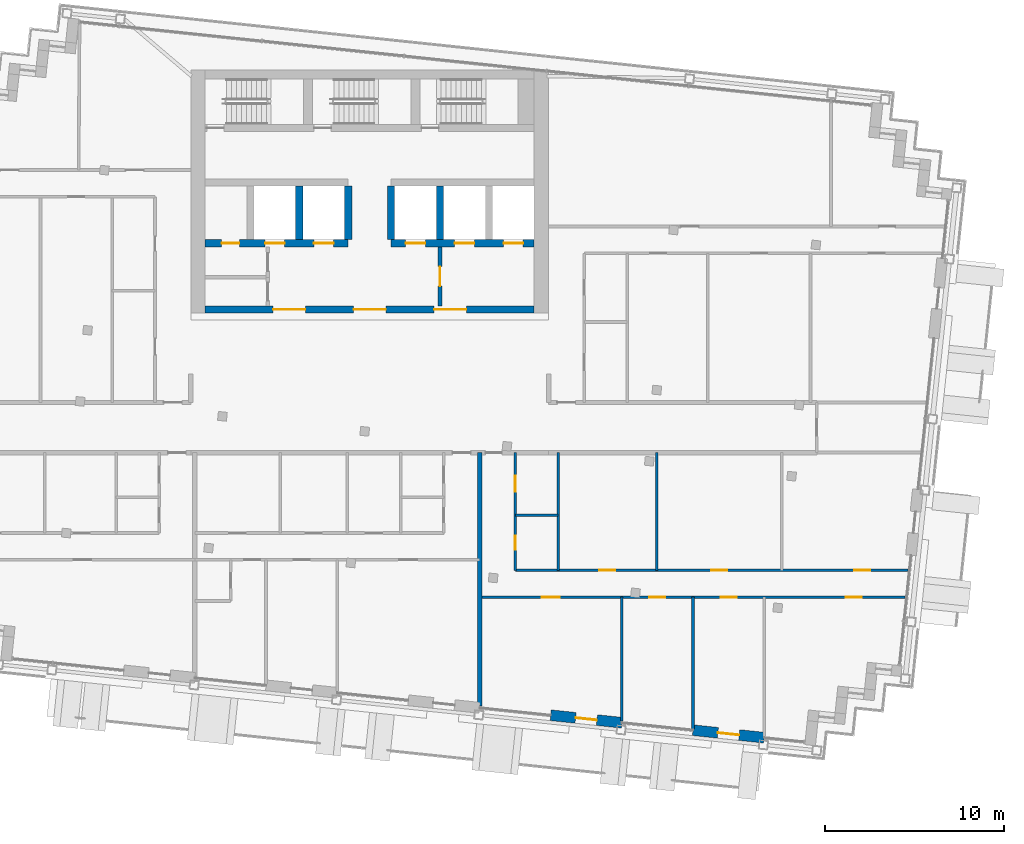
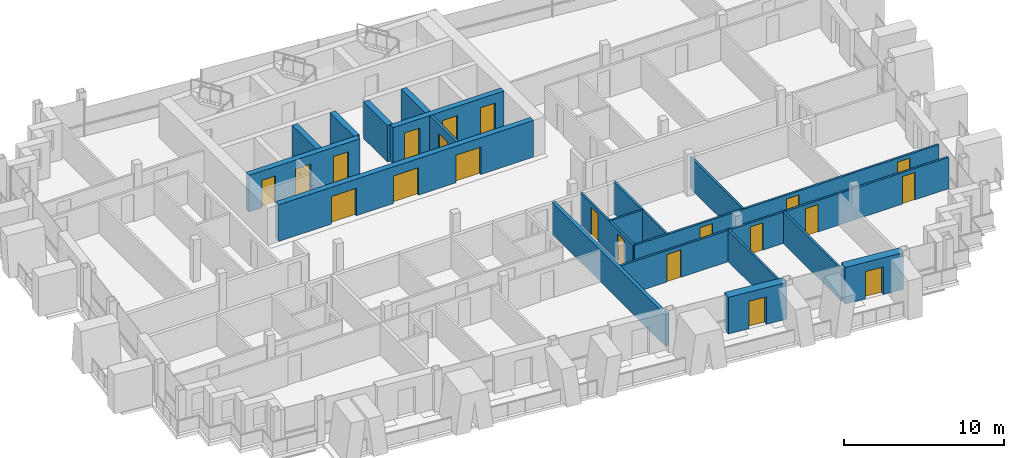
# One storey, part 10 of 16: 21 doors, 19 walls, 21 openings.
"""IFC4 building model written with IfcOpenShell, lengths in metres."""

from ifc_helpers import new_model, si_unit, direction, frame, frame_2d, origin, place, context, subcontext, project, spatial, rectangle, extrude, material, layer, layer_set, type_object, element, fill, save


model = new_model("IFC4")

# Units and contexts
model_context = context("Model", 3, precision=1e-05, world=origin(), true_north=direction((0.0, 1.0)))
body_context = subcontext(model_context, "Body", "Model", "MODEL_VIEW")
ifc_project = project(units=[si_unit("LENGTHUNIT", "METRE"), si_unit("AREAUNIT", "SQUARE_METRE"), si_unit("VOLUMEUNIT", "CUBIC_METRE"), si_unit("PLANEANGLEUNIT", "RADIAN"), si_unit("MASSUNIT", "GRAM", prefix="KILO")], contexts=[model_context])

# Site, building, storey
site_placement = place(None, origin())
site = spatial("IfcSite", under=ifc_project, at=site_placement, CompositionType="ELEMENT")
building_placement = place(site_placement, origin())
building = spatial("IfcBuilding", under=site, at=building_placement, Name="Vidyagriha Tower", CompositionType="ELEMENT")
storey_placement = place(building_placement, frame((0.0, 0.0, 278.699951171875)))
storey = spatial("IfcBuildingStorey", under=building, at=storey_placement, Name="L73", CompositionType="ELEMENT", Elevation=278.699951171875)

# Wall, opening, door
ifc_material_1 = material(Name="Precast concrete C40/50 with brick facing", Category="concrete")
ifc_layer_1 = layer(ifc_material_1, 0.60009765625)
ifc_layer_set_1 = layer_set([ifc_layer_1], Name="Precast concrete C40/50 with brick facing")
wall_type_1 = type_object("IfcWallType", Name="Brick-faced precast wall 600", PredefinedType="STANDARD", material=ifc_layer_set_1)
wall_1_placement = place(storey_placement, frame((10.1201171875, -16.085205078125, 0.0), z_axis=(0.0, 0.0, 1.0), x_axis=(0.994519156568, -0.104554517933, 0.0)))
wall_1 = element("IfcWall", 1, at=wall_1_placement, inside=storey, type_object=wall_type_1, Name="Brick door bay wall L73 R21.9", PredefinedType="STANDARD", context=body_context, shape_type="SweptSolid", body=[
    extrude(rectangle(XDim=4.0, YDim=0.60009765625, at=frame_2d((2.0, 0.0))), origin(), (0.0, 0.0, 1.0), 2.800048828125),
])
opening_1_placement = place(wall_1_placement, frame((1.39990234375, 0.0, 0.0)))
opening_1 = element("IfcOpeningElement", 2, at=opening_1_placement, cuts=wall_1, Name="Opening D73-58", PredefinedType="OPENING", context=body_context, shape_type="SweptSolid", body=[
    extrude(rectangle(XDim=1.199951171875, YDim=2.10009765625, at=frame_2d((0.60009765625, 1.050048828125))), frame((0.0, 0.31005859375, 0.0), z_axis=(0.0, -1.0, 0.0), x_axis=(1.0, 0.0, 0.0)), (0.0, 0.0, 1.0), 0.6201171875),
])
ifc_material_2 = material(Name="Aluminium framed glazed sliding door", Category="aluminium")
door_type_1 = type_object("IfcDoorType", Name="Balcony sliding door 1200x2100", OperationType="NOTDEFINED", PredefinedType="DOOR", material=ifc_material_2)
door_1_placement = place(opening_1_placement, origin())
door_1 = element("IfcDoor", 3, at=door_1_placement, inside=storey, type_object=door_type_1, Name="Door D73-58", OperationType="SLIDING_TO_LEFT", OverallHeight=2.10009765625, OverallWidth=1.199951171875, PredefinedType="DOOR", context=body_context, shape_type="SweptSolid", body=[
    extrude(rectangle(XDim=1.199951171875, YDim=2.10009765625, at=frame_2d((0.60009765625, 1.050048828125))), frame((0.0, 0.02490234375, 0.0), z_axis=(0.0, -1.0, 0.0), x_axis=(1.0, 0.0, 0.0)), (0.0, 0.0, 1.0), 0.050048828125),
])
fill(opening_1, door_1)

wall_2_placement = place(storey_placement, frame((18.076171875, -16.92138671875, 0.0), z_axis=(0.0, 0.0, 1.0), x_axis=(0.994519156568, -0.104554517933, 0.0)))
wall_2 = element("IfcWall", 4, at=wall_2_placement, inside=storey, type_object=wall_type_1, Name="Brick door bay wall L73 R21.11", PredefinedType="STANDARD", context=body_context, shape_type="SweptSolid", body=[
    extrude(rectangle(XDim=4.0, YDim=0.60009765625, at=frame_2d((2.0, 0.0))), origin(), (0.0, 0.0, 1.0), 2.800048828125),
])
opening_2_placement = place(wall_2_placement, frame((1.39990234375, 0.0, 0.0)))
opening_2 = element("IfcOpeningElement", 5, at=opening_2_placement, cuts=wall_2, Name="Opening D73-59", PredefinedType="OPENING", context=body_context, shape_type="SweptSolid", body=[
    extrude(rectangle(XDim=1.199951171875, YDim=2.10009765625, at=frame_2d((0.60009765625, 1.050048828125))), frame((0.0, 0.31005859375, 0.0), z_axis=(0.0, -1.0, 0.0), x_axis=(1.0, 0.0, 0.0)), (0.0, 0.0, 1.0), 0.6201171875),
])
door_2_placement = place(opening_2_placement, origin())
door_2 = element("IfcDoor", 6, at=door_2_placement, inside=storey, type_object=door_type_1, Name="Door D73-59", OperationType="SLIDING_TO_LEFT", OverallHeight=2.10009765625, OverallWidth=1.199951171875, PredefinedType="DOOR", context=body_context, shape_type="SweptSolid", body=[
    extrude(rectangle(XDim=1.199951171875, YDim=2.10009765625, at=frame_2d((0.60009765625, 1.050048828125))), frame((0.0, 0.02490234375, 0.0), z_axis=(0.0, -1.0, 0.0), x_axis=(1.0, 0.0, 0.0)), (0.0, 0.0, 1.0), 0.050048828125),
])
fill(opening_2, door_2)

# Wall, openings, doors
ifc_material_3 = material(Name="Concrete C60/75", Category="concrete")
ifc_layer_2 = layer(ifc_material_3, 0.39990234375)
ifc_layer_set_2 = layer_set([ifc_layer_2], Name="Concrete C60/75")
wall_type_2 = type_object("IfcWallType", Name="Core shear wall 400 mm", PredefinedType="SHEAR", material=ifc_layer_set_2)
wall_3_placement = place(storey_placement, frame((-9.199951171875, 6.60009765625, 0.0)))
wall_3 = element("IfcWall", 7, at=wall_3_placement, inside=storey, type_object=wall_type_2, Name="Core south wall", PredefinedType="SHEAR", context=body_context, shape_type="SweptSolid", body=[
    extrude(rectangle(XDim=18.39990234375, YDim=0.39990234375, at=frame_2d((9.199951171875, 0.0))), origin(), (0.0, 0.0, 1.0), 2.800048828125),
])
opening_3_placement = place(wall_3_placement, frame((8.300048828125, 0.0, 0.0)))
opening_3 = element("IfcOpeningElement", 8, at=opening_3_placement, cuts=wall_3, Name="Opening D73-01", PredefinedType="OPENING", context=body_context, shape_type="SweptSolid", body=[
    extrude(rectangle(XDim=1.800048828125, YDim=2.10009765625, at=frame_2d((0.89990234375, 1.050048828125))), frame((0.0, 0.2099609375, 0.0), z_axis=(0.0, -1.0, 0.0), x_axis=(1.0, 0.0, 0.0)), (0.0, 0.0, 1.0), 0.419921875),
])
opening_4_placement = place(wall_3_placement, frame((3.800048828125, 0.0, 0.0)))
opening_4 = element("IfcOpeningElement", 9, at=opening_4_placement, cuts=wall_3, Name="Opening D73-02", PredefinedType="OPENING", context=body_context, shape_type="SweptSolid", body=[
    extrude(rectangle(XDim=1.800048828125, YDim=2.10009765625, at=frame_2d((0.89990234375, 1.050048828125))), frame((0.0, 0.2099609375, 0.0), z_axis=(0.0, -1.0, 0.0), x_axis=(1.0, 0.0, 0.0)), (0.0, 0.0, 1.0), 0.419921875),
])
opening_5_placement = place(wall_3_placement, frame((12.800048828125, 0.0, 0.0)))
opening_5 = element("IfcOpeningElement", 10, at=opening_5_placement, cuts=wall_3, Name="Opening D73-03", PredefinedType="OPENING", context=body_context, shape_type="SweptSolid", body=[
    extrude(rectangle(XDim=1.800048828125, YDim=2.10009765625, at=frame_2d((0.89990234375, 1.050048828125))), frame((0.0, 0.2099609375, 0.0), z_axis=(0.0, -1.0, 0.0), x_axis=(1.0, 0.0, 0.0)), (0.0, 0.0, 1.0), 0.419921875),
])
ifc_material_4 = material(Name="Hollow metal door leaf")
door_type_2 = type_object("IfcDoorType", Name="Core lobby double door 1800 x 2100 mm EI 60", OperationType="NOTDEFINED", PredefinedType="DOOR", material=ifc_material_4)
door_3_placement = place(opening_3_placement, frame((1.800048828125, 0.0, 0.0), z_axis=(0.0, 0.0, 1.0), x_axis=(-1.0, 0.0, 0.0)))
door_3 = element("IfcDoor", 11, at=door_3_placement, inside=storey, type_object=door_type_2, Name="Core entrance door L73", OperationType="DOUBLE_DOOR_SINGLE_SWING", OverallHeight=2.10009765625, OverallWidth=1.800048828125, PredefinedType="DOOR", context=body_context, shape_type="SweptSolid", body=[
    extrude(rectangle(XDim=1.800048828125, YDim=2.10009765625, at=frame_2d((0.89990234375, 1.050048828125))), frame((0.0, 0.02490234375, 0.0), z_axis=(0.0, -1.0, 0.0), x_axis=(1.0, 0.0, 0.0)), (0.0, 0.0, 1.0), 0.050048828125),
])
fill(opening_3, door_3)
door_4_placement = place(opening_4_placement, frame((1.800048828125, 0.0, 0.0), z_axis=(0.0, 0.0, 1.0), x_axis=(-1.0, 0.0, 0.0)))
door_4 = element("IfcDoor", 12, at=door_4_placement, inside=storey, type_object=door_type_2, Name="Core entrance door west L73", OperationType="DOUBLE_DOOR_SINGLE_SWING", OverallHeight=2.10009765625, OverallWidth=1.800048828125, PredefinedType="DOOR", context=body_context, shape_type="SweptSolid", body=[
    extrude(rectangle(XDim=1.800048828125, YDim=2.10009765625, at=frame_2d((0.89990234375, 1.050048828125))), frame((0.0, 0.02490234375, 0.0), z_axis=(0.0, -1.0, 0.0), x_axis=(1.0, 0.0, 0.0)), (0.0, 0.0, 1.0), 0.050048828125),
])
fill(opening_4, door_4)
door_5_placement = place(opening_5_placement, frame((1.800048828125, 0.0, 0.0), z_axis=(0.0, 0.0, 1.0), x_axis=(-1.0, 0.0, 0.0)))
door_5 = element("IfcDoor", 13, at=door_5_placement, inside=storey, type_object=door_type_2, Name="Core entrance door east L73", OperationType="DOUBLE_DOOR_SINGLE_SWING", OverallHeight=2.10009765625, OverallWidth=1.800048828125, PredefinedType="DOOR", context=body_context, shape_type="SweptSolid", body=[
    extrude(rectangle(XDim=1.800048828125, YDim=2.10009765625, at=frame_2d((0.89990234375, 1.050048828125))), frame((0.0, 0.02490234375, 0.0), z_axis=(0.0, -1.0, 0.0), x_axis=(1.0, 0.0, 0.0)), (0.0, 0.0, 1.0), 0.050048828125),
])
fill(opening_5, door_5)

wall_4_placement = place(storey_placement, frame((-9.199951171875, 10.300048828125, 0.0)))
wall_4 = element("IfcWall", 14, at=wall_4_placement, inside=storey, type_object=wall_type_2, Name="Core row N front wall", PredefinedType="SHEAR", context=body_context, shape_type="SweptSolid", body=[
    extrude(rectangle(XDim=8.0, YDim=0.39990234375, at=frame_2d((4.0, 0.0))), origin(), (0.0, 0.0, 1.0), 2.800048828125),
])
opening_6_placement = place(wall_4_placement, frame((3.35009765625, 0.0, 0.0)))
opening_6 = element("IfcOpeningElement", 15, at=opening_6_placement, cuts=wall_4, Name="Opening LD73-01", PredefinedType="OPENING", context=body_context, shape_type="SweptSolid", body=[
    extrude(rectangle(XDim=1.10009765625, YDim=2.10009765625, at=frame_2d((0.550048828125, 1.050048828125))), frame((0.0, 0.2099609375, 0.0), z_axis=(0.0, -1.0, 0.0), x_axis=(1.0, 0.0, 0.0)), (0.0, 0.0, 1.0), 0.419921875),
])
opening_7_placement = place(wall_4_placement, frame((6.083251953125, 0.0, 0.0)))
opening_7 = element("IfcOpeningElement", 16, at=opening_7_placement, cuts=wall_4, Name="Opening LD73-02", PredefinedType="OPENING", context=body_context, shape_type="SweptSolid", body=[
    extrude(rectangle(XDim=1.10009765625, YDim=2.10009765625, at=frame_2d((0.550048828125, 1.050048828125))), frame((0.0, 0.2099609375, 0.0), z_axis=(0.0, -1.0, 0.0), x_axis=(1.0, 0.0, 0.0)), (0.0, 0.0, 1.0), 0.419921875),
])
opening_8_placement = place(wall_4_placement, frame((0.916748046875, 0.0, 0.0)))
opening_8 = element("IfcOpeningElement", 17, at=opening_8_placement, cuts=wall_4, Name="Opening D73-04", PredefinedType="OPENING", context=body_context, shape_type="SweptSolid", body=[
    extrude(rectangle(XDim=1.0, YDim=2.10009765625, at=frame_2d((0.5, 1.050048828125))), frame((0.0, 0.2099609375, 0.0), z_axis=(0.0, -1.0, 0.0), x_axis=(1.0, 0.0, 0.0)), (0.0, 0.0, 1.0), 0.419921875),
])
ifc_material_5 = material(Name="Hollow metal door leaf")
door_type_3 = type_object("IfcDoorType", Name="Core room door 1000 x 2100 mm EI 60", OperationType="NOTDEFINED", PredefinedType="DOOR", material=ifc_material_5)
door_6_placement = place(opening_8_placement, frame((1.0, 0.0, 0.0), z_axis=(0.0, 0.0, 1.0), x_axis=(-1.0, 0.0, 0.0)))
door_6 = element("IfcDoor", 18, at=door_6_placement, inside=storey, type_object=door_type_3, Name="Door Electrical Room 73.14", OperationType="SINGLE_SWING_RIGHT", OverallHeight=2.10009765625, OverallWidth=1.0, PredefinedType="DOOR", context=body_context, shape_type="SweptSolid", body=[
    extrude(rectangle(XDim=1.0, YDim=2.10009765625, at=frame_2d((0.5, 1.050048828125))), frame((0.0, 0.02490234375, 0.0), z_axis=(0.0, -1.0, 0.0), x_axis=(1.0, 0.0, 0.0)), (0.0, 0.0, 1.0), 0.050048828125),
])
fill(opening_8, door_6)
ifc_material_6 = material(Name="Stainless steel sliding door panel", Category="steel")
door_type_4 = type_object("IfcDoorType", Name="Lift landing door 1100 x 2100 mm EI 90", OperationType="NOTDEFINED", PredefinedType="DOOR", material=ifc_material_6)
door_7_placement = place(opening_6_placement, origin())
door_7 = element("IfcDoor", 19, at=door_7_placement, inside=storey, type_object=door_type_4, Name="Landing door HR1 L73", OperationType="SLIDING_TO_LEFT", OverallHeight=2.10009765625, OverallWidth=1.10009765625, PredefinedType="DOOR", context=body_context, shape_type="SweptSolid", body=[
    extrude(rectangle(XDim=1.10009765625, YDim=2.10009765625, at=frame_2d((0.550048828125, 1.050048828125))), frame((0.0, 0.02490234375, 0.0), z_axis=(0.0, -1.0, 0.0), x_axis=(1.0, 0.0, 0.0)), (0.0, 0.0, 1.0), 0.050048828125),
])
fill(opening_6, door_7)
door_8_placement = place(opening_7_placement, origin())
door_8 = element("IfcDoor", 20, at=door_8_placement, inside=storey, type_object=door_type_4, Name="Landing door HR2 L73", OperationType="SLIDING_TO_LEFT", OverallHeight=2.10009765625, OverallWidth=1.10009765625, PredefinedType="DOOR", context=body_context, shape_type="SweptSolid", body=[
    extrude(rectangle(XDim=1.10009765625, YDim=2.10009765625, at=frame_2d((0.550048828125, 1.050048828125))), frame((0.0, 0.02490234375, 0.0), z_axis=(0.0, -1.0, 0.0), x_axis=(1.0, 0.0, 0.0)), (0.0, 0.0, 1.0), 0.050048828125),
])
fill(opening_7, door_8)

wall_5_placement = place(storey_placement, frame((1.199951171875, 10.300048828125, 0.0)))
wall_5 = element("IfcWall", 21, at=wall_5_placement, inside=storey, type_object=wall_type_2, Name="Core row N front wall", PredefinedType="SHEAR", context=body_context, shape_type="SweptSolid", body=[
    extrude(rectangle(XDim=8.0, YDim=0.39990234375, at=frame_2d((4.0, 0.0))), origin(), (0.0, 0.0, 1.0), 2.800048828125),
])
opening_9_placement = place(wall_5_placement, frame((0.816650390625, 0.0, 0.0)))
opening_9 = element("IfcOpeningElement", 22, at=opening_9_placement, cuts=wall_5, Name="Opening LD73-03", PredefinedType="OPENING", context=body_context, shape_type="SweptSolid", body=[
    extrude(rectangle(XDim=1.10009765625, YDim=2.10009765625, at=frame_2d((0.550048828125, 1.050048828125))), frame((0.0, 0.2099609375, 0.0), z_axis=(0.0, -1.0, 0.0), x_axis=(1.0, 0.0, 0.0)), (0.0, 0.0, 1.0), 0.419921875),
])
opening_10_placement = place(wall_5_placement, frame((3.550048828125, 0.0, 0.0)))
opening_10 = element("IfcOpeningElement", 23, at=opening_10_placement, cuts=wall_5, Name="Opening LD73-04", PredefinedType="OPENING", context=body_context, shape_type="SweptSolid", body=[
    extrude(rectangle(XDim=1.10009765625, YDim=2.10009765625, at=frame_2d((0.550048828125, 1.050048828125))), frame((0.0, 0.2099609375, 0.0), z_axis=(0.0, -1.0, 0.0), x_axis=(1.0, 0.0, 0.0)), (0.0, 0.0, 1.0), 0.419921875),
])
opening_11_placement = place(wall_5_placement, frame((6.283203125, 0.0, 0.0)))
opening_11 = element("IfcOpeningElement", 24, at=opening_11_placement, cuts=wall_5, Name="Opening LD73-05", PredefinedType="OPENING", context=body_context, shape_type="SweptSolid", body=[
    extrude(rectangle(XDim=1.10009765625, YDim=2.10009765625, at=frame_2d((0.550048828125, 1.050048828125))), frame((0.0, 0.2099609375, 0.0), z_axis=(0.0, -1.0, 0.0), x_axis=(1.0, 0.0, 0.0)), (0.0, 0.0, 1.0), 0.419921875),
])
door_9_placement = place(opening_9_placement, origin())
door_9 = element("IfcDoor", 25, at=door_9_placement, inside=storey, type_object=door_type_4, Name="Landing door HR3 L73", OperationType="SLIDING_TO_LEFT", OverallHeight=2.10009765625, OverallWidth=1.10009765625, PredefinedType="DOOR", context=body_context, shape_type="SweptSolid", body=[
    extrude(rectangle(XDim=1.10009765625, YDim=2.10009765625, at=frame_2d((0.550048828125, 1.050048828125))), frame((0.0, 0.02490234375, 0.0), z_axis=(0.0, -1.0, 0.0), x_axis=(1.0, 0.0, 0.0)), (0.0, 0.0, 1.0), 0.050048828125),
])
fill(opening_9, door_9)
door_10_placement = place(opening_10_placement, origin())
door_10 = element("IfcDoor", 26, at=door_10_placement, inside=storey, type_object=door_type_4, Name="Landing door FF1 L73", OperationType="SLIDING_TO_LEFT", OverallHeight=2.10009765625, OverallWidth=1.10009765625, PredefinedType="DOOR", context=body_context, shape_type="SweptSolid", body=[
    extrude(rectangle(XDim=1.10009765625, YDim=2.10009765625, at=frame_2d((0.550048828125, 1.050048828125))), frame((0.0, 0.02490234375, 0.0), z_axis=(0.0, -1.0, 0.0), x_axis=(1.0, 0.0, 0.0)), (0.0, 0.0, 1.0), 0.050048828125),
])
fill(opening_10, door_10)
door_11_placement = place(opening_11_placement, origin())
door_11 = element("IfcDoor", 27, at=door_11_placement, inside=storey, type_object=door_type_4, Name="Landing door FF2 L73", OperationType="SLIDING_TO_LEFT", OverallHeight=2.10009765625, OverallWidth=1.10009765625, PredefinedType="DOOR", context=body_context, shape_type="SweptSolid", body=[
    extrude(rectangle(XDim=1.10009765625, YDim=2.10009765625, at=frame_2d((0.550048828125, 1.050048828125))), frame((0.0, 0.02490234375, 0.0), z_axis=(0.0, -1.0, 0.0), x_axis=(1.0, 0.0, 0.0)), (0.0, 0.0, 1.0), 0.050048828125),
])
fill(opening_11, door_11)

# Walls
for number, where, z_axis, x_axis, name in (
    (28, (-3.933349609375, 10.5, 0.0), (0.0, 0.0, 1.0), (0.0, 1.0, 0.0), "Core bay wall N2"),
    (29, (-1.199951171875, 10.5, 0.0), (0.0, 0.0, 1.0), (0.0, 1.0, 0.0), "Core bay wall N3"),
    (30, (1.199951171875, 10.5, 0.0), (0.0, 0.0, 1.0), (0.0, 1.0, 0.0), "Core bay wall N4"),
    (31, (3.933349609375, 10.5, 0.0), (0.0, 0.0, 1.0), (0.0, 1.0, 0.0), "Core bay wall N5"),
):
    element("IfcWall", number, at=place(storey_placement, frame(where, z_axis=z_axis, x_axis=x_axis)), inside=storey, type_object=wall_type_2, Name=name, PredefinedType="SHEAR", context=body_context, shape_type="SweptSolid", body=[
        extrude(rectangle(XDim=3.0, YDim=0.39990234375, at=frame_2d((1.5, 0.0))), origin(), (0.0, 0.0, 1.0), 2.800048828125),
    ])
ifc_material_7 = material(Name="Fired clay brick masonry", Category="masonry")
ifc_layer_3 = layer(ifc_material_7, 0.25)
ifc_layer_set_3 = layer_set([ifc_layer_3], Name="Fired clay brick masonry")
wall_type_3 = type_object("IfcWallType", Name="Fired clay brick demising wall 250", PredefinedType="PARTITIONING", material=ifc_layer_set_3)
wall_6_placement = place(storey_placement, frame((6.14208984375, -1.39990234375, 0.0), z_axis=(0.0, 0.0, 1.0), x_axis=(0.0, -1.0, 0.0)))
element("IfcWall", 32, at=wall_6_placement, inside=storey, type_object=wall_type_3, Name="Wall all-L73-w055", PredefinedType="PARTITIONING", context=body_context, shape_type="SweptSolid", body=[
    extrude(rectangle(XDim=14.1767578125, YDim=0.25, at=frame_2d((7.08837890625, 0.0))), origin(), (0.0, 0.0, 1.0), 2.400146484375),
])
ifc_material_8 = material(Name="Gypsum board partition")
ifc_layer_4 = layer(ifc_material_8, 0.14990234375)
ifc_layer_set_4 = layer_set([ifc_layer_4], Name="Gypsum board partition")
wall_type_4 = type_object("IfcWallType", Name="Gypsum board partition 150", PredefinedType="PARTITIONING", material=ifc_layer_set_4)
wall_7_placement = place(storey_placement, frame((10.5419921875, -4.89990234375, 0.0), z_axis=(0.0, 0.0, 1.0), x_axis=(-1.0, 0.0, 0.0)))
element("IfcWall", 33, at=wall_7_placement, inside=storey, type_object=wall_type_4, Name="Wall all-L73-w038", PredefinedType="PARTITIONING", context=body_context, shape_type="SweptSolid", body=[
    extrude(rectangle(XDim=2.39990234375, YDim=0.14990234375, at=frame_2d((1.199951171875, 0.0))), origin(), (0.0, 0.0, 1.0), 2.400146484375),
])
for number, where, z_axis, x_axis, name in (
    (34, (10.5419921875, -1.39990234375, 0.0), (0.0, 0.0, 1.0), (0.0, -1.0, 0.0), "Wall all-L73-w039"),
    (35, (16.0419921875, -1.39990234375, 0.0), (0.0, 0.0, 1.0), (0.0, -1.0, 0.0), "Wall all-L73-w040"),
):
    element("IfcWall", number, at=place(storey_placement, frame(where, z_axis=z_axis, x_axis=x_axis)), inside=storey, type_object=wall_type_4, Name=name, PredefinedType="PARTITIONING", context=body_context, shape_type="SweptSolid", body=[
        extrude(rectangle(XDim=6.581787109375, YDim=0.14990234375, at=frame_2d((3.291015625, 0.0))), origin(), (0.0, 0.0, 1.0), 2.400146484375),
    ])

# Wall, openings, doors
wall_8_placement = place(storey_placement, frame((8.14208984375, -7.981689453125, 0.0)))
wall_8 = element("IfcWall", 36, at=wall_8_placement, inside=storey, type_object=wall_type_4, Name="Wall all-L73-w042", PredefinedType="PARTITIONING", context=body_context, shape_type="SweptSolid", body=[
    extrude(rectangle(XDim=21.955322265625, YDim=0.14990234375, at=frame_2d((10.9775390625, 0.0))), origin(), (0.0, 0.0, 1.0), 2.400146484375),
])
opening_12_placement = place(wall_8_placement, frame((4.699951171875, 0.0, 0.0)))
opening_12 = element("IfcOpeningElement", 37, at=opening_12_placement, cuts=wall_8, Name="Opening D73-29", PredefinedType="OPENING", context=body_context, shape_type="SweptSolid", body=[
    extrude(rectangle(XDim=0.89990234375, YDim=2.10009765625, at=frame_2d((0.449951171875, 1.050048828125))), frame((0.0, 0.0849609375, 0.0), z_axis=(0.0, -1.0, 0.0), x_axis=(1.0, 0.0, 0.0)), (0.0, 0.0, 1.0), 0.169921875),
])
opening_13_placement = place(wall_8_placement, frame((10.949951171875, 0.0, 0.0)))
opening_13 = element("IfcOpeningElement", 38, at=opening_13_placement, cuts=wall_8, Name="Opening D73-30", PredefinedType="OPENING", context=body_context, shape_type="SweptSolid", body=[
    extrude(rectangle(XDim=0.89990234375, YDim=2.10009765625, at=frame_2d((0.449951171875, 1.050048828125))), frame((0.0, 0.0849609375, 0.0), z_axis=(0.0, -1.0, 0.0), x_axis=(1.0, 0.0, 0.0)), (0.0, 0.0, 1.0), 0.169921875),
])
opening_14_placement = place(wall_8_placement, frame((18.95751953125, 0.0, 0.0)))
opening_14 = element("IfcOpeningElement", 39, at=opening_14_placement, cuts=wall_8, Name="Opening D73-31", PredefinedType="OPENING", context=body_context, shape_type="SweptSolid", body=[
    extrude(rectangle(XDim=0.89990234375, YDim=2.10009765625, at=frame_2d((0.449951171875, 1.050048828125))), frame((0.0, 0.0849609375, 0.0), z_axis=(0.0, -1.0, 0.0), x_axis=(1.0, 0.0, 0.0)), (0.0, 0.0, 1.0), 0.169921875),
])
ifc_material_9 = material(Name="Timber door leaf", Category="wood")
door_type_5 = type_object("IfcDoorType", Name="Room door 900x2100", OperationType="NOTDEFINED", PredefinedType="DOOR", material=ifc_material_9)
door_12_placement = place(opening_12_placement, origin())
door_12 = element("IfcDoor", 40, at=door_12_placement, inside=storey, type_object=door_type_5, Name="Door D73-29", OperationType="SINGLE_SWING_LEFT", OverallHeight=2.10009765625, OverallWidth=0.89990234375, PredefinedType="DOOR", context=body_context, shape_type="SweptSolid", body=[
    extrude(rectangle(XDim=0.89990234375, YDim=2.10009765625, at=frame_2d((0.449951171875, 1.050048828125))), frame((0.0, 0.02490234375, 0.0), z_axis=(0.0, -1.0, 0.0), x_axis=(1.0, 0.0, 0.0)), (0.0, 0.0, 1.0), 0.050048828125),
])
fill(opening_12, door_12)
door_13_placement = place(opening_13_placement, origin())
door_13 = element("IfcDoor", 41, at=door_13_placement, inside=storey, type_object=door_type_5, Name="Door D73-30", OperationType="SINGLE_SWING_RIGHT", OverallHeight=2.10009765625, OverallWidth=0.89990234375, PredefinedType="DOOR", context=body_context, shape_type="SweptSolid", body=[
    extrude(rectangle(XDim=0.89990234375, YDim=2.10009765625, at=frame_2d((0.449951171875, 1.050048828125))), frame((0.0, 0.02490234375, 0.0), z_axis=(0.0, -1.0, 0.0), x_axis=(1.0, 0.0, 0.0)), (0.0, 0.0, 1.0), 0.050048828125),
])
fill(opening_13, door_13)
door_14_placement = place(opening_14_placement, origin())
door_14 = element("IfcDoor", 42, at=door_14_placement, inside=storey, type_object=door_type_5, Name="Door D73-31", OperationType="SINGLE_SWING_RIGHT", OverallHeight=2.10009765625, OverallWidth=0.89990234375, PredefinedType="DOOR", context=body_context, shape_type="SweptSolid", body=[
    extrude(rectangle(XDim=0.89990234375, YDim=2.10009765625, at=frame_2d((0.449951171875, 1.050048828125))), frame((0.0, 0.02490234375, 0.0), z_axis=(0.0, -1.0, 0.0), x_axis=(1.0, 0.0, 0.0)), (0.0, 0.0, 1.0), 0.050048828125),
])
fill(opening_14, door_14)

wall_9_placement = place(storey_placement, frame((29.939697265625, -9.481689453125, 0.0), z_axis=(0.0, 0.0, 1.0), x_axis=(-1.0, 0.0, 0.0)))
wall_9 = element("IfcWall", 43, at=wall_9_placement, inside=storey, type_object=wall_type_4, Name="Wall all-L73-w046", PredefinedType="PARTITIONING", context=body_context, shape_type="SweptSolid", body=[
    extrude(rectangle(XDim=23.797607421875, YDim=0.14990234375, at=frame_2d((11.89892578125, 0.0))), origin(), (0.0, 0.0, 1.0), 2.400146484375),
])
opening_15_placement = place(wall_9_placement, frame((19.319580078125, 0.0, 0.0)))
opening_15 = element("IfcOpeningElement", 44, at=opening_15_placement, cuts=wall_9, Name="Opening D73-32", PredefinedType="OPENING", context=body_context, shape_type="SweptSolid", body=[
    extrude(rectangle(XDim=1.0, YDim=2.10009765625, at=frame_2d((0.5, 1.050048828125))), frame((0.0, 0.0849609375, 0.0), z_axis=(0.0, -1.0, 0.0), x_axis=(1.0, 0.0, 0.0)), (0.0, 0.0, 1.0), 0.169921875),
])
opening_16_placement = place(wall_9_placement, frame((13.402587890625, 0.0, 0.0)))
opening_16 = element("IfcOpeningElement", 45, at=opening_16_placement, cuts=wall_9, Name="Opening D73-33", PredefinedType="OPENING", context=body_context, shape_type="SweptSolid", body=[
    extrude(rectangle(XDim=0.89990234375, YDim=2.10009765625, at=frame_2d((0.449951171875, 1.050048828125))), frame((0.0, 0.0849609375, 0.0), z_axis=(0.0, -1.0, 0.0), x_axis=(1.0, 0.0, 0.0)), (0.0, 0.0, 1.0), 0.169921875),
])
opening_17_placement = place(wall_9_placement, frame((9.424560546875, 0.0, 0.0)))
opening_17 = element("IfcOpeningElement", 46, at=opening_17_placement, cuts=wall_9, Name="Opening D73-34", PredefinedType="OPENING", context=body_context, shape_type="SweptSolid", body=[
    extrude(rectangle(XDim=0.89990234375, YDim=2.10009765625, at=frame_2d((0.449951171875, 1.050048828125))), frame((0.0, 0.0849609375, 0.0), z_axis=(0.0, -1.0, 0.0), x_axis=(1.0, 0.0, 0.0)), (0.0, 0.0, 1.0), 0.169921875),
])
opening_18_placement = place(wall_9_placement, frame((2.43408203125, 0.0, 0.0)))
opening_18 = element("IfcOpeningElement", 47, at=opening_18_placement, cuts=wall_9, Name="Opening D73-35", PredefinedType="OPENING", context=body_context, shape_type="SweptSolid", body=[
    extrude(rectangle(XDim=0.89990234375, YDim=2.10009765625, at=frame_2d((0.449951171875, 1.050048828125))), frame((0.0, 0.0849609375, 0.0), z_axis=(0.0, -1.0, 0.0), x_axis=(1.0, 0.0, 0.0)), (0.0, 0.0, 1.0), 0.169921875),
])
ifc_material_10 = material(Name="Timber door leaf", Category="wood")
door_type_6 = type_object("IfcDoorType", Name="Room door 1000x2100", OperationType="NOTDEFINED", PredefinedType="DOOR", material=ifc_material_10)
door_15_placement = place(opening_15_placement, origin())
door_15 = element("IfcDoor", 48, at=door_15_placement, inside=storey, type_object=door_type_6, Name="Door D73-32", OperationType="SINGLE_SWING_LEFT", OverallHeight=2.10009765625, OverallWidth=1.0, PredefinedType="DOOR", context=body_context, shape_type="SweptSolid", body=[
    extrude(rectangle(XDim=1.0, YDim=2.10009765625, at=frame_2d((0.5, 1.050048828125))), frame((0.0, 0.02490234375, 0.0), z_axis=(0.0, -1.0, 0.0), x_axis=(1.0, 0.0, 0.0)), (0.0, 0.0, 1.0), 0.050048828125),
])
fill(opening_15, door_15)
door_16_placement = place(opening_16_placement, origin())
door_16 = element("IfcDoor", 49, at=door_16_placement, inside=storey, type_object=door_type_5, Name="Door D73-33", OperationType="SINGLE_SWING_RIGHT", OverallHeight=2.10009765625, OverallWidth=0.89990234375, PredefinedType="DOOR", context=body_context, shape_type="SweptSolid", body=[
    extrude(rectangle(XDim=0.89990234375, YDim=2.10009765625, at=frame_2d((0.449951171875, 1.050048828125))), frame((0.0, 0.02490234375, 0.0), z_axis=(0.0, -1.0, 0.0), x_axis=(1.0, 0.0, 0.0)), (0.0, 0.0, 1.0), 0.050048828125),
])
fill(opening_16, door_16)
door_17_placement = place(opening_17_placement, origin())
door_17 = element("IfcDoor", 50, at=door_17_placement, inside=storey, type_object=door_type_5, Name="Door D73-34", OperationType="SINGLE_SWING_RIGHT", OverallHeight=2.10009765625, OverallWidth=0.89990234375, PredefinedType="DOOR", context=body_context, shape_type="SweptSolid", body=[
    extrude(rectangle(XDim=0.89990234375, YDim=2.10009765625, at=frame_2d((0.449951171875, 1.050048828125))), frame((0.0, 0.02490234375, 0.0), z_axis=(0.0, -1.0, 0.0), x_axis=(1.0, 0.0, 0.0)), (0.0, 0.0, 1.0), 0.050048828125),
])
fill(opening_17, door_17)
door_18_placement = place(opening_18_placement, origin())
door_18 = element("IfcDoor", 51, at=door_18_placement, inside=storey, type_object=door_type_5, Name="Door D73-35", OperationType="SINGLE_SWING_LEFT", OverallHeight=2.10009765625, OverallWidth=0.89990234375, PredefinedType="DOOR", context=body_context, shape_type="SweptSolid", body=[
    extrude(rectangle(XDim=0.89990234375, YDim=2.10009765625, at=frame_2d((0.449951171875, 1.050048828125))), frame((0.0, 0.02490234375, 0.0), z_axis=(0.0, -1.0, 0.0), x_axis=(1.0, 0.0, 0.0)), (0.0, 0.0, 1.0), 0.050048828125),
])
fill(opening_18, door_18)

# Walls
wall_10_placement = place(storey_placement, frame((14.09814453125, -9.481689453125, 0.0), z_axis=(0.0, 0.0, 1.0), x_axis=(0.0, -1.0, 0.0)))
element("IfcWall", 52, at=wall_10_placement, inside=storey, type_object=wall_type_4, Name="Wall all-L73-w051", PredefinedType="PARTITIONING", context=body_context, shape_type="SweptSolid", body=[
    extrude(rectangle(XDim=6.93115234375, YDim=0.14990234375, at=frame_2d((3.465576171875, 0.0))), origin(), (0.0, 0.0, 1.0), 2.400146484375),
])
wall_11_placement = place(storey_placement, frame((18.076171875, -9.481689453125, 0.0), z_axis=(0.0, 0.0, 1.0), x_axis=(0.0, -1.0, 0.0)))
element("IfcWall", 53, at=wall_11_placement, inside=storey, type_object=wall_type_4, Name="Wall all-L73-w052", PredefinedType="PARTITIONING", context=body_context, shape_type="SweptSolid", body=[
    extrude(rectangle(XDim=7.3603515625, YDim=0.14990234375, at=frame_2d((3.68017578125, 0.0))), origin(), (0.0, 0.0, 1.0), 2.400146484375),
])

# Wall, openings, doors
ifc_material_11 = material(Name="Moisture resistant gypsum board partition")
ifc_layer_5 = layer(ifc_material_11, 0.14990234375)
ifc_layer_set_5 = layer_set([ifc_layer_5], Name="Moisture resistant gypsum board partition")
wall_type_5 = type_object("IfcWallType", Name="Gypsum board wet-area partition 150", PredefinedType="PARTITIONING", material=ifc_layer_set_5)
wall_12_placement = place(storey_placement, frame((8.14208984375, -1.39990234375, 0.0), z_axis=(0.0, 0.0, 1.0), x_axis=(0.0, -1.0, 0.0)))
wall_12 = element("IfcWall", 54, at=wall_12_placement, inside=storey, type_object=wall_type_5, Name="Wall all-L73-w035", PredefinedType="PARTITIONING", context=body_context, shape_type="SweptSolid", body=[
    extrude(rectangle(XDim=6.581787109375, YDim=0.14990234375, at=frame_2d((3.291015625, 0.0))), origin(), (0.0, 0.0, 1.0), 2.400146484375),
])
opening_19_placement = place(wall_12_placement, frame((1.300048828125, 0.0, 0.0)))
opening_19 = element("IfcOpeningElement", 55, at=opening_19_placement, cuts=wall_12, Name="Opening D73-27", PredefinedType="OPENING", context=body_context, shape_type="SweptSolid", body=[
    extrude(rectangle(XDim=0.89990234375, YDim=2.10009765625, at=frame_2d((0.449951171875, 1.050048828125))), frame((0.0, 0.0849609375, 0.0), z_axis=(0.0, -1.0, 0.0), x_axis=(1.0, 0.0, 0.0)), (0.0, 0.0, 1.0), 0.169921875),
])
opening_20_placement = place(wall_12_placement, frame((4.640869140625, 0.0, 0.0)))
opening_20 = element("IfcOpeningElement", 56, at=opening_20_placement, cuts=wall_12, Name="Opening D73-28", PredefinedType="OPENING", context=body_context, shape_type="SweptSolid", body=[
    extrude(rectangle(XDim=0.800048828125, YDim=2.10009765625, at=frame_2d((0.39990234375, 1.050048828125))), frame((0.0, 0.0849609375, 0.0), z_axis=(0.0, -1.0, 0.0), x_axis=(1.0, 0.0, 0.0)), (0.0, 0.0, 1.0), 0.169921875),
])
ifc_material_12 = material(Name="Timber door leaf", Category="wood")
door_type_7 = type_object("IfcDoorType", Name="Bathroom door 800x2100", OperationType="NOTDEFINED", PredefinedType="DOOR", material=ifc_material_12)
door_19_placement = place(opening_20_placement, origin())
door_19 = element("IfcDoor", 57, at=door_19_placement, inside=storey, type_object=door_type_7, Name="Door D73-28", OperationType="SINGLE_SWING_RIGHT", OverallHeight=2.10009765625, OverallWidth=0.800048828125, PredefinedType="DOOR", context=body_context, shape_type="SweptSolid", body=[
    extrude(rectangle(XDim=0.800048828125, YDim=2.10009765625, at=frame_2d((0.39990234375, 1.050048828125))), frame((0.0, 0.02490234375, 0.0), z_axis=(0.0, -1.0, 0.0), x_axis=(1.0, 0.0, 0.0)), (0.0, 0.0, 1.0), 0.050048828125),
])
fill(opening_20, door_19)
ifc_material_13 = material(Name="Timber door leaf", Category="wood")
door_type_8 = type_object("IfcDoorType", Name="Kitchen door 900x2100", OperationType="NOTDEFINED", PredefinedType="DOOR", material=ifc_material_13)
door_20_placement = place(opening_19_placement, origin())
door_20 = element("IfcDoor", 58, at=door_20_placement, inside=storey, type_object=door_type_8, Name="Door D73-27", OperationType="SINGLE_SWING_LEFT", OverallHeight=2.10009765625, OverallWidth=0.89990234375, PredefinedType="DOOR", context=body_context, shape_type="SweptSolid", body=[
    extrude(rectangle(XDim=0.89990234375, YDim=2.10009765625, at=frame_2d((0.449951171875, 1.050048828125))), frame((0.0, 0.02490234375, 0.0), z_axis=(0.0, -1.0, 0.0), x_axis=(1.0, 0.0, 0.0)), (0.0, 0.0, 1.0), 0.050048828125),
])
fill(opening_19, door_20)

# Wall, opening, door
ifc_material_14 = material(Name="Blockwork 15 MPa", Category="masonry")
ifc_layer_6 = layer(ifc_material_14, 0.199951171875)
ifc_layer_set_6 = layer_set([ifc_layer_6], Name="Blockwork 15 MPa")
wall_type_6 = type_object("IfcWallType", Name="Service room partition 200 mm", PredefinedType="PARTITIONING", material=ifc_layer_set_6)
wall_13_placement = place(storey_placement, frame((3.933349609375, 6.800048828125, 0.0), z_axis=(0.0, 0.0, 1.0), x_axis=(0.0, 1.0, 0.0)))
wall_13 = element("IfcWall", 59, at=wall_13_placement, inside=storey, type_object=wall_type_6, Name="Fire-fighting lobby west wall", PredefinedType="PARTITIONING", context=body_context, shape_type="SweptSolid", body=[
    extrude(rectangle(XDim=3.300048828125, YDim=0.199951171875, at=frame_2d((1.64990234375, 0.0))), origin(), (0.0, 0.0, 1.0), 2.800048828125),
])
opening_21_placement = place(wall_13_placement, frame((1.10009765625, 0.0, 0.0)))
opening_21 = element("IfcOpeningElement", 60, at=opening_21_placement, cuts=wall_13, Name="Opening D73-05", PredefinedType="OPENING", context=body_context, shape_type="SweptSolid", body=[
    extrude(rectangle(XDim=1.10009765625, YDim=2.10009765625, at=frame_2d((0.550048828125, 1.050048828125))), frame((0.0, 0.10986328125, 0.0), z_axis=(0.0, -1.0, 0.0), x_axis=(1.0, 0.0, 0.0)), (0.0, 0.0, 1.0), 0.219970703125),
])
ifc_material_15 = material(Name="Hollow metal door leaf")
door_type_9 = type_object("IfcDoorType", Name="Fire-fighting lobby door 1100 x 2100 mm EI 90", OperationType="NOTDEFINED", PredefinedType="DOOR", material=ifc_material_15)
door_21_placement = place(opening_21_placement, origin())
door_21 = element("IfcDoor", 61, at=door_21_placement, inside=storey, type_object=door_type_9, Name="Fire-fighting lobby door L73", OperationType="SINGLE_SWING_RIGHT", OverallHeight=2.10009765625, OverallWidth=1.10009765625, PredefinedType="DOOR", context=body_context, shape_type="SweptSolid", body=[
    extrude(rectangle(XDim=1.10009765625, YDim=2.10009765625, at=frame_2d((0.550048828125, 1.050048828125))), frame((0.0, 0.02490234375, 0.0), z_axis=(0.0, -1.0, 0.0), x_axis=(1.0, 0.0, 0.0)), (0.0, 0.0, 1.0), 0.050048828125),
])
fill(opening_21, door_21)

save(model, "model.ifc")
